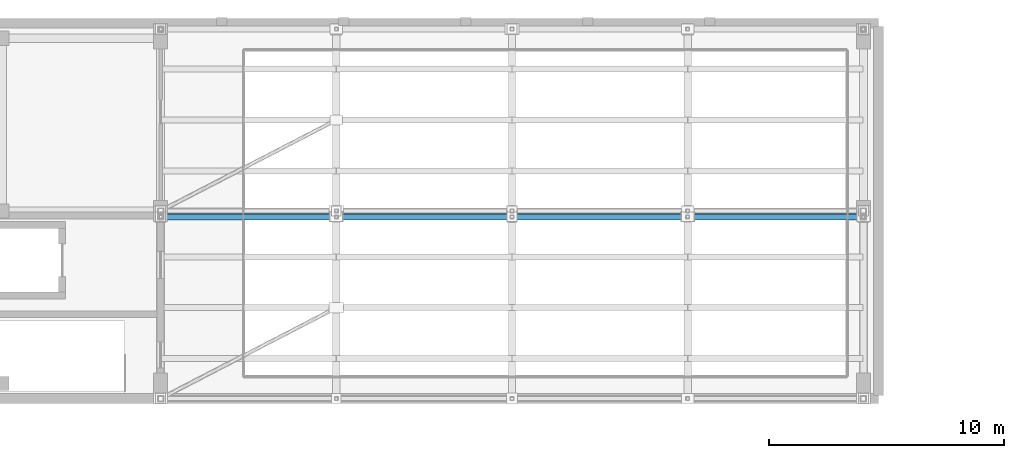
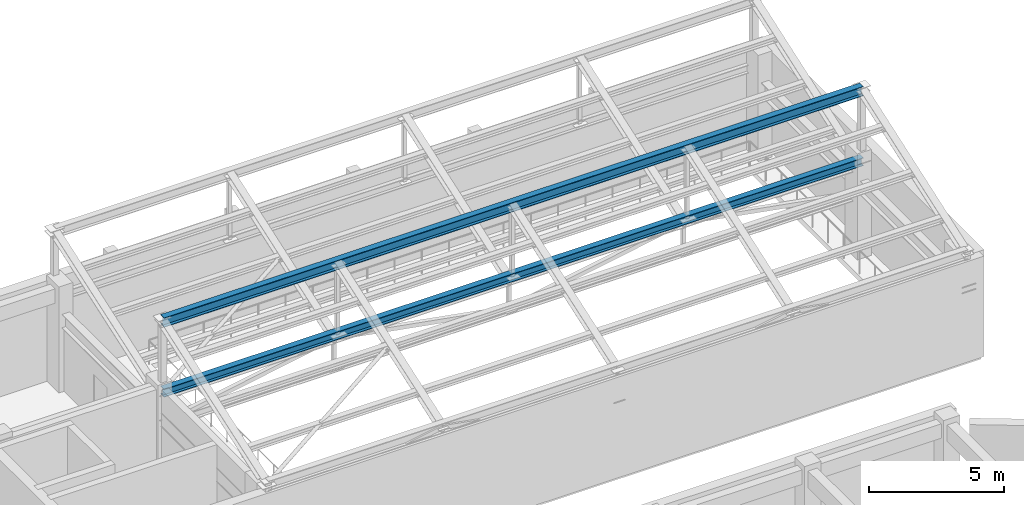
# One storey, part 26 of 76: 2 members.
"""IFC4 building model written with IfcOpenShell, lengths in metres."""

from ifc_helpers import new_model, si_unit, direction, frame, origin, origin_2d, place, context, subcontext, project, spatial, i_section, extrude, material, material_profile, profile_set, type_object, element, save


model = new_model("IFC4")

# Units and contexts
model_context = context("Model", 3, precision=1e-05, world=origin(), true_north=direction((0.0, 1.0)))
body_context = subcontext(model_context, "Body", "Model", "MODEL_VIEW")
ifc_project = project(units=[si_unit("LENGTHUNIT", "METRE"), si_unit("AREAUNIT", "SQUARE_METRE"), si_unit("VOLUMEUNIT", "CUBIC_METRE"), si_unit("PLANEANGLEUNIT", "RADIAN"), si_unit("MASSUNIT", "GRAM", prefix="KILO")], contexts=[model_context])

# Site, building, storey
site_placement = place(None, origin())
site = spatial("IfcSite", under=ifc_project, at=site_placement, CompositionType="ELEMENT")
building_placement = place(site_placement, origin())
building = spatial("IfcBuilding", under=site, at=building_placement, Name="Cinchona Park Media Centre", CompositionType="ELEMENT")
storey_placement = place(building_placement, frame((0.0, 0.0, 15.60009765625)))
storey = spatial("IfcBuildingStorey", under=building, at=storey_placement, Name="L03", CompositionType="ELEMENT", Elevation=15.60009765625)

# Members
ifc_material_1 = material(Name="Steel S355", Category="steel")
ifc_material_profile_1 = material_profile(ifc_material_1, i_section(OverallWidth=0.264892578125, OverallDepth=0.430908203125, WebThickness=0.014892578125, FlangeThickness=0.02490234375, at=origin_2d()), Name="W410X149")
ifc_profile_set_1 = profile_set([ifc_material_profile_1], Name="Steel S355")
member_type_1 = type_object("IfcMemberType", Name="MEMBER-TC03-W410X149", PredefinedType="CHORD", material=ifc_profile_set_1)
member_1_placement = place(storey_placement, frame((15.39990234375, 109.75, 7.5), z_axis=(1.0, 0.0, 0.0), x_axis=(0.0, 1.0, 0.0)))
element("IfcMember", 1, at=member_1_placement, inside=storey, type_object=member_type_1, Name="ROOF TRUSS Ridge Chord V2 Bay 1", PredefinedType="CHORD", context=body_context, shape_type="SweptSolid", body=[
    extrude(i_section(OverallWidth=0.264892578125, OverallDepth=0.430908203125, WebThickness=0.014892578125, FlangeThickness=0.02490234375, at=origin_2d()), origin(), (0.0, 0.0, 1.0), 29.960205078125),
])
ifc_material_2 = material(Name="Steel S355", Category="steel")
ifc_material_profile_2 = material_profile(ifc_material_2, i_section(OverallWidth=0.257080078125, OverallDepth=0.363037109375, WebThickness=0.012939453125, FlangeThickness=0.021728515625, at=origin_2d()), Name="W360X122")
ifc_profile_set_2 = profile_set([ifc_material_profile_2], Name="Steel S355")
member_type_2 = type_object("IfcMemberType", Name="MEMBER-TC04-W360X122", PredefinedType="CHORD", material=ifc_profile_set_2)
member_2_placement = place(storey_placement, frame((15.39990234375, 109.75, 4.2998046875), z_axis=(1.0, 0.0, 0.0), x_axis=(0.0, 1.0, 0.0)))
element("IfcMember", 2, at=member_2_placement, inside=storey, type_object=member_type_2, Name="ROOF TRUSS Monitor Sill Chord V2 Bay 1", PredefinedType="CHORD", context=body_context, shape_type="SweptSolid", body=[
    extrude(i_section(OverallWidth=0.257080078125, OverallDepth=0.363037109375, WebThickness=0.012939453125, FlangeThickness=0.021728515625, at=origin_2d()), origin(), (0.0, 0.0, 1.0), 29.960205078125),
])

save(model, "model.ifc")
